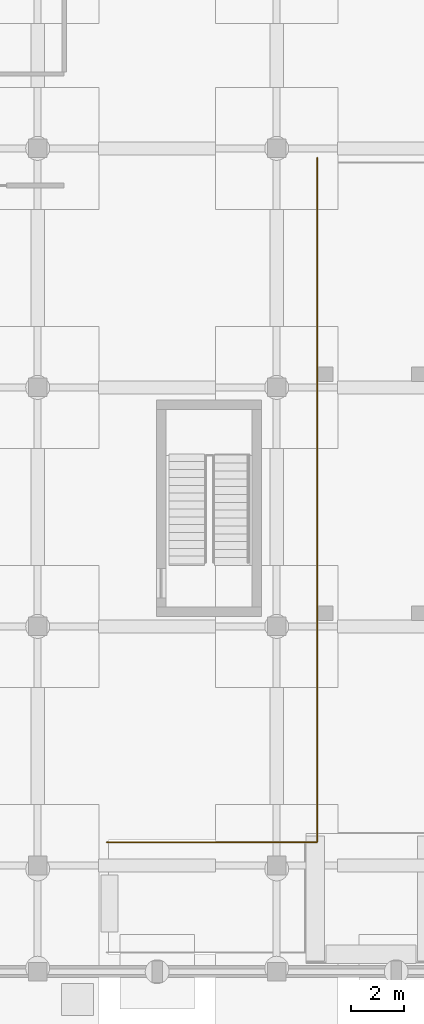
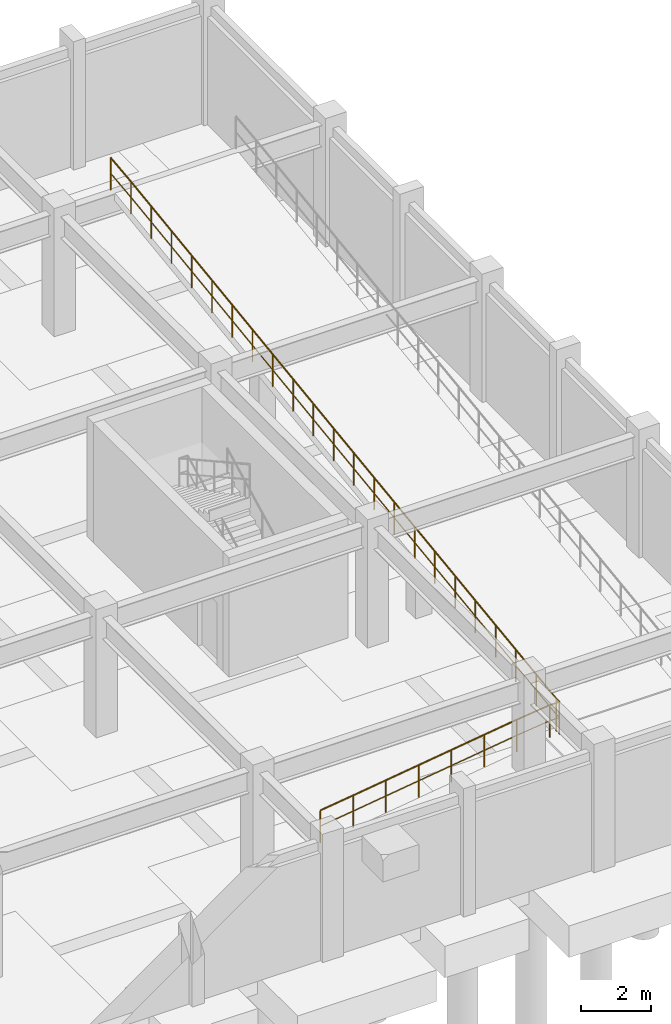
# One storey, part 18 of 20: 1 railing.
"""IFC4 building model written with IfcOpenShell, lengths in metres."""

from ifc_helpers import new_model, si_unit, direction, frame, origin, origin_2d, place, context, subcontext, project, spatial, circle, extrude, material, type_object, element, save


model = new_model("IFC4")

# Units and contexts
model_context = context("Model", 3, precision=1e-05, world=origin(), true_north=direction((0.0, 1.0)))
body_context = subcontext(model_context, "Body", "Model", "MODEL_VIEW")
ifc_project = project(units=[si_unit("LENGTHUNIT", "METRE"), si_unit("AREAUNIT", "SQUARE_METRE"), si_unit("VOLUMEUNIT", "CUBIC_METRE"), si_unit("PLANEANGLEUNIT", "RADIAN"), si_unit("MASSUNIT", "GRAM", prefix="KILO")], contexts=[model_context])

# Site, building, storey
site_placement = place(None, origin())
site = spatial("IfcSite", under=ifc_project, at=site_placement, CompositionType="ELEMENT")
building_placement = place(site_placement, origin())
building = spatial("IfcBuilding", under=site, at=building_placement, Name="Ventoquebrada Cableway Terminal", CompositionType="ELEMENT")
storey_placement = place(building_placement, frame((0.0, 0.0, -4.5)))
storey = spatial("IfcBuildingStorey", under=building, at=storey_placement, Name="B1", CompositionType="ELEMENT", Elevation=-4.5)

# Railing
ifc_material = material(Name="Brushed stainless steel Grade 316", Category="steel")
railing_type = type_object("IfcRailingType", Name="RL-GD02", PredefinedType="BALUSTRADE", material=ifc_material)
railing_placement = place(storey_placement, frame((149.60009765625, 68.875, 0.02001953125)))
element("IfcRailing", 1, at=railing_placement, inside=storey, type_object=railing_type, Name="Vehicle ramp inner guardrail GR-R37", PredefinedType="BALUSTRADE", context=body_context, shape_type="SweptSolid", body=[
    extrude(circle(Radius=0.02392578125, at=origin_2d()), frame((0.001953125, 0.0, 1.126220703125), z_axis=(0.991317209735, 0.0, 0.13149216586), x_axis=(0.0, 1.0, 0.0)), (0.0, 0.0, 1.0), 1.091552734375),
    extrude(circle(Radius=0.01611328125, at=origin_2d()), frame((0.001953125, 0.0, 0.5751953125), z_axis=(0.991317209735, 0.0, 0.13149216586), x_axis=(0.0, 1.0, 0.0)), (0.0, 0.0, 1.0), 1.091552734375),
    extrude(circle(Radius=0.02392578125, at=origin_2d()), frame((1.087890625, 0.0, 1.270263671875), z_axis=(0.990468637924, 0.0, 0.137738437947), x_axis=(0.0, 1.0, 0.0)), (0.0, 0.0, 1.0), 1.09130859375),
    extrude(circle(Radius=0.01611328125, at=origin_2d()), frame((1.087890625, 0.0, 0.71923828125), z_axis=(0.990468637924, 0.0, 0.137738437947), x_axis=(0.0, 1.0, 0.0)), (0.0, 0.0, 1.0), 1.09130859375),
    extrude(circle(Radius=0.02392578125, at=origin_2d()), frame((2.1728515625, 0.0, 1.421142578125), z_axis=(0.990455152905, 0.0, 0.137835373122), x_axis=(0.0, 1.0, 0.0)), (0.0, 0.0, 1.0), 1.09228515625),
    extrude(circle(Radius=0.01611328125, at=origin_2d()), frame((2.1728515625, 0.0, 0.8701171875), z_axis=(0.990455152905, 0.0, 0.137835373122), x_axis=(0.0, 1.0, 0.0)), (0.0, 0.0, 1.0), 1.09228515625),
    extrude(circle(Radius=0.02392578125, at=origin_2d()), frame((3.2587890625, 0.0, 1.572265625), z_axis=(0.99036801526, 0.0, 0.138460082151), x_axis=(0.0, 1.0, 0.0)), (0.0, 0.0, 1.0), 1.0927734375),
    extrude(circle(Radius=0.01611328125, at=origin_2d()), frame((3.2587890625, 0.0, 1.021240234375), z_axis=(0.99036801526, 0.0, 0.138460082151), x_axis=(0.0, 1.0, 0.0)), (0.0, 0.0, 1.0), 1.0927734375),
    extrude(circle(Radius=0.02392578125, at=origin_2d()), frame((4.344970703125, 0.0, 1.72412109375), z_axis=(0.990455152905, 0.0, 0.137835373122), x_axis=(0.0, 1.0, 0.0)), (0.0, 0.0, 1.0), 1.09228515625),
    extrude(circle(Radius=0.01611328125, at=origin_2d()), frame((4.344970703125, 0.0, 1.173095703125), z_axis=(0.990455152905, 0.0, 0.137835373122), x_axis=(0.0, 1.0, 0.0)), (0.0, 0.0, 1.0), 1.09228515625),
    extrude(circle(Radius=0.02392578125, at=origin_2d()), frame((5.430908203125, 0.0, 1.875244140625), z_axis=(0.990468637924, 0.0, 0.137738437947), x_axis=(0.0, 1.0, 0.0)), (0.0, 0.0, 1.0), 1.09130859375),
    extrude(circle(Radius=0.01611328125, at=origin_2d()), frame((5.430908203125, 0.0, 1.32421875), z_axis=(0.990468637924, 0.0, 0.137738437947), x_axis=(0.0, 1.0, 0.0)), (0.0, 0.0, 1.0), 1.09130859375),
    extrude(circle(Radius=0.02392578125, at=origin_2d()), frame((6.515869140625, 0.0, 2.02587890625), z_axis=(0.992896893367, 0.0, 0.118977977555), x_axis=(0.0, 1.0, 0.0)), (0.0, 0.0, 1.0), 1.089599609375),
    extrude(circle(Radius=0.01611328125, at=origin_2d()), frame((6.515869140625, 0.0, 1.47509765625), z_axis=(0.992896893367, 0.0, 0.118977977555), x_axis=(0.0, 1.0, 0.0)), (0.0, 0.0, 1.0), 1.089599609375),
    extrude(circle(Radius=0.02392578125, at=origin_2d()), frame((7.601806640625, 0.0, 2.15576171875), z_axis=(1.0, 0.0, 0.0), x_axis=(0.0, 1.0, 0.0)), (0.0, 0.0, 1.0), 0.321044921875),
    extrude(circle(Radius=0.01611328125, at=origin_2d()), frame((7.601806640625, 0.0, 1.60498046875), z_axis=(1.0, 0.0, 0.0), x_axis=(0.0, 1.0, 0.0)), (0.0, 0.0, 1.0), 0.321044921875),
    extrude(circle(Radius=0.02392578125, at=origin_2d()), frame((7.9248046875, 0.001953125, 2.15576171875), z_axis=(0.0, 1.0, 0.0), x_axis=(-1.0, 0.0, 0.0)), (0.0, 0.0, 1.0), 0.171142578125),
    extrude(circle(Radius=0.01611328125, at=origin_2d()), frame((7.9248046875, 0.001953125, 1.60498046875), z_axis=(0.0, 1.0, 0.0), x_axis=(-1.0, 0.0, 0.0)), (0.0, 0.0, 1.0), 0.171142578125),
    extrude(circle(Radius=0.02392578125, at=origin_2d()), frame((7.9248046875, 0.177001953125, 2.15625), z_axis=(0.0, 0.991028923854, 0.133647566703), x_axis=(-1.0, 0.0, 0.0)), (0.0, 0.0, 1.0), 1.170654296875),
    extrude(circle(Radius=0.01611328125, at=origin_2d()), frame((7.9248046875, 0.177001953125, 1.605224609375), z_axis=(0.0, 0.991028923854, 0.133647566703), x_axis=(-1.0, 0.0, 0.0)), (0.0, 0.0, 1.0), 1.170654296875),
    extrude(circle(Radius=0.02392578125, at=origin_2d()), frame((7.9248046875, 1.341064453125, 2.313232421875), z_axis=(0.0, 0.991010332392, 0.133785354551), x_axis=(-1.0, 0.0, 0.0)), (0.0, 0.0, 1.0), 1.16943359375),
    extrude(circle(Radius=0.01611328125, at=origin_2d()), frame((7.9248046875, 1.341064453125, 1.76220703125), z_axis=(0.0, 0.991010332392, 0.133785354551), x_axis=(-1.0, 0.0, 0.0)), (0.0, 0.0, 1.0), 1.16943359375),
    extrude(circle(Radius=0.02392578125, at=origin_2d()), frame((7.9248046875, 2.50390625, 2.47021484375), z_axis=(0.0, 0.991138717367, 0.132830880956), x_axis=(-1.0, 0.0, 0.0)), (0.0, 0.0, 1.0), 1.17041015625),
    extrude(circle(Radius=0.01611328125, at=origin_2d()), frame((7.9248046875, 2.50390625, 1.919189453125), z_axis=(0.0, 0.991138717367, 0.132830880956), x_axis=(-1.0, 0.0, 0.0)), (0.0, 0.0, 1.0), 1.17041015625),
    extrude(circle(Radius=0.02392578125, at=origin_2d()), frame((7.9248046875, 3.66796875, 2.626220703125), z_axis=(0.0, 0.991028923854, 0.133647566703), x_axis=(-1.0, 0.0, 0.0)), (0.0, 0.0, 1.0), 1.170654296875),
    extrude(circle(Radius=0.01611328125, at=origin_2d()), frame((7.9248046875, 3.66796875, 2.0751953125), z_axis=(0.0, 0.991028923854, 0.133647566703), x_axis=(-1.0, 0.0, 0.0)), (0.0, 0.0, 1.0), 1.170654296875),
    extrude(circle(Radius=0.02392578125, at=origin_2d()), frame((7.9248046875, 4.83203125, 2.783203125), z_axis=(0.0, 0.991010332392, 0.133785354551), x_axis=(-1.0, 0.0, 0.0)), (0.0, 0.0, 1.0), 1.16943359375),
    extrude(circle(Radius=0.01611328125, at=origin_2d()), frame((7.9248046875, 4.83203125, 2.232177734375), z_axis=(0.0, 0.991010332392, 0.133785354551), x_axis=(-1.0, 0.0, 0.0)), (0.0, 0.0, 1.0), 1.16943359375),
    extrude(circle(Radius=0.02392578125, at=origin_2d()), frame((7.9248046875, 5.994873046875, 2.940185546875), z_axis=(0.0, 0.991028923854, 0.133647566703), x_axis=(-1.0, 0.0, 0.0)), (0.0, 0.0, 1.0), 1.170654296875),
    extrude(circle(Radius=0.01611328125, at=origin_2d()), frame((7.9248046875, 5.994873046875, 2.38916015625), z_axis=(0.0, 0.991028923854, 0.133647566703), x_axis=(-1.0, 0.0, 0.0)), (0.0, 0.0, 1.0), 1.170654296875),
    extrude(circle(Radius=0.02392578125, at=origin_2d()), frame((7.9248046875, 7.158935546875, 3.09716796875), z_axis=(0.0, 0.991014055284, 0.133757774464), x_axis=(-1.0, 0.0, 0.0)), (0.0, 0.0, 1.0), 1.169677734375),
    extrude(circle(Radius=0.01611328125, at=origin_2d()), frame((7.9248046875, 7.158935546875, 2.546142578125), z_axis=(0.0, 0.991014055284, 0.133757774464), x_axis=(-1.0, 0.0, 0.0)), (0.0, 0.0, 1.0), 1.169677734375),
    extrude(circle(Radius=0.02392578125, at=origin_2d()), frame((7.9248046875, 8.322021484375, 3.254150390625), z_axis=(0.0, 0.991025210157, 0.133675101769), x_axis=(-1.0, 0.0, 0.0)), (0.0, 0.0, 1.0), 1.17041015625),
    extrude(circle(Radius=0.01611328125, at=origin_2d()), frame((7.9248046875, 8.322021484375, 2.703125), z_axis=(0.0, 0.991025210157, 0.133675101769), x_axis=(-1.0, 0.0, 0.0)), (0.0, 0.0, 1.0), 1.17041015625),
    extrude(circle(Radius=0.02392578125, at=origin_2d()), frame((7.9248046875, 9.48583984375, 3.4111328125), z_axis=(0.0, 0.991138717367, 0.132830880956), x_axis=(-1.0, 0.0, 0.0)), (0.0, 0.0, 1.0), 1.17041015625),
    extrude(circle(Radius=0.01611328125, at=origin_2d()), frame((7.9248046875, 9.48583984375, 2.860107421875), z_axis=(0.0, 0.991138717367, 0.132830880956), x_axis=(-1.0, 0.0, 0.0)), (0.0, 0.0, 1.0), 1.17041015625),
    extrude(circle(Radius=0.02392578125, at=origin_2d()), frame((7.9248046875, 10.64990234375, 3.567138671875), z_axis=(0.0, 0.991014055284, 0.133757774464), x_axis=(-1.0, 0.0, 0.0)), (0.0, 0.0, 1.0), 1.169677734375),
    extrude(circle(Radius=0.01611328125, at=origin_2d()), frame((7.9248046875, 10.64990234375, 3.01611328125), z_axis=(0.0, 0.991014055284, 0.133757774464), x_axis=(-1.0, 0.0, 0.0)), (0.0, 0.0, 1.0), 1.169677734375),
    extrude(circle(Radius=0.02392578125, at=origin_2d()), frame((7.9248046875, 11.81298828125, 3.72412109375), z_axis=(0.0, 0.991028923854, 0.133647566703), x_axis=(-1.0, 0.0, 0.0)), (0.0, 0.0, 1.0), 1.170654296875),
    extrude(circle(Radius=0.01611328125, at=origin_2d()), frame((7.9248046875, 11.81298828125, 3.173095703125), z_axis=(0.0, 0.991028923854, 0.133647566703), x_axis=(-1.0, 0.0, 0.0)), (0.0, 0.0, 1.0), 1.170654296875),
    extrude(circle(Radius=0.02392578125, at=origin_2d()), frame((7.9248046875, 12.97705078125, 3.881103515625), z_axis=(0.0, 0.99077570355, 0.135512011478), x_axis=(-1.0, 0.0, 0.0)), (0.0, 0.0, 1.0), 1.170654296875),
    extrude(circle(Radius=0.01611328125, at=origin_2d()), frame((7.9248046875, 12.97705078125, 3.330078125), z_axis=(0.0, 0.99077570355, 0.135512011478), x_axis=(-1.0, 0.0, 0.0)), (0.0, 0.0, 1.0), 1.170654296875),
    extrude(circle(Radius=0.02392578125, at=origin_2d()), frame((7.9248046875, 14.140869140625, 4.040283203125), z_axis=(0.0, 0.99068024293, 0.136208135835), x_axis=(-1.0, 0.0, 0.0)), (0.0, 0.0, 1.0), 1.169921875),
    extrude(circle(Radius=0.01611328125, at=origin_2d()), frame((7.9248046875, 14.140869140625, 3.4892578125), z_axis=(0.0, 0.99068024293, 0.136208135835), x_axis=(-1.0, 0.0, 0.0)), (0.0, 0.0, 1.0), 1.169921875),
    extrude(circle(Radius=0.02392578125, at=origin_2d()), frame((7.9248046875, 15.303955078125, 4.2001953125), z_axis=(0.0, 0.99080739254, 0.13528012008), x_axis=(-1.0, 0.0, 0.0)), (0.0, 0.0, 1.0), 1.1708984375),
    extrude(circle(Radius=0.01611328125, at=origin_2d()), frame((7.9248046875, 15.303955078125, 3.649169921875), z_axis=(0.0, 0.99080739254, 0.13528012008), x_axis=(-1.0, 0.0, 0.0)), (0.0, 0.0, 1.0), 1.1708984375),
    extrude(circle(Radius=0.02392578125, at=origin_2d()), frame((7.9248046875, 16.468017578125, 4.359130859375), z_axis=(0.0, 0.99077570355, 0.135512011478), x_axis=(-1.0, 0.0, 0.0)), (0.0, 0.0, 1.0), 1.170654296875),
    extrude(circle(Radius=0.01611328125, at=origin_2d()), frame((7.9248046875, 16.468017578125, 3.80810546875), z_axis=(0.0, 0.99077570355, 0.135512011478), x_axis=(-1.0, 0.0, 0.0)), (0.0, 0.0, 1.0), 1.170654296875),
    extrude(circle(Radius=0.02392578125, at=origin_2d()), frame((7.9248046875, 17.6318359375, 4.518310546875), z_axis=(0.0, 0.99068024293, 0.136208135835), x_axis=(-1.0, 0.0, 0.0)), (0.0, 0.0, 1.0), 1.169921875),
    extrude(circle(Radius=0.01611328125, at=origin_2d()), frame((7.9248046875, 17.6318359375, 3.96728515625), z_axis=(0.0, 0.99068024293, 0.136208135835), x_axis=(-1.0, 0.0, 0.0)), (0.0, 0.0, 1.0), 1.169921875),
    extrude(circle(Radius=0.02392578125, at=origin_2d()), frame((7.9248046875, 18.794921875, 4.67822265625), z_axis=(0.0, 0.99080739254, 0.13528012008), x_axis=(-1.0, 0.0, 0.0)), (0.0, 0.0, 1.0), 1.1708984375),
    extrude(circle(Radius=0.01611328125, at=origin_2d()), frame((7.9248046875, 18.794921875, 4.127197265625), z_axis=(0.0, 0.99080739254, 0.13528012008), x_axis=(-1.0, 0.0, 0.0)), (0.0, 0.0, 1.0), 1.1708984375),
    extrude(circle(Radius=0.02392578125, at=origin_2d()), frame((7.9248046875, 19.958984375, 4.837158203125), z_axis=(0.0, 0.990792161915, 0.135391624141), x_axis=(-1.0, 0.0, 0.0)), (0.0, 0.0, 1.0), 1.169921875),
    extrude(circle(Radius=0.01611328125, at=origin_2d()), frame((7.9248046875, 19.958984375, 4.2861328125), z_axis=(0.0, 0.990792161915, 0.135391624141), x_axis=(-1.0, 0.0, 0.0)), (0.0, 0.0, 1.0), 1.169921875),
    extrude(circle(Radius=0.02392578125, at=origin_2d()), frame((7.9248046875, 21.1220703125, 4.99609375), z_axis=(0.0, 0.99077570355, 0.135512011478), x_axis=(-1.0, 0.0, 0.0)), (0.0, 0.0, 1.0), 1.170654296875),
    extrude(circle(Radius=0.01611328125, at=origin_2d()), frame((7.9248046875, 21.1220703125, 4.445068359375), z_axis=(0.0, 0.99077570355, 0.135512011478), x_axis=(-1.0, 0.0, 0.0)), (0.0, 0.0, 1.0), 1.170654296875),
    extrude(circle(Radius=0.02392578125, at=origin_2d()), frame((7.9248046875, 22.285888671875, 5.1552734375), z_axis=(0.0, 0.990695656075, 0.136095984633), x_axis=(-1.0, 0.0, 0.0)), (0.0, 0.0, 1.0), 1.1708984375),
    extrude(circle(Radius=0.01611328125, at=origin_2d()), frame((7.9248046875, 22.285888671875, 4.604248046875), z_axis=(0.0, 0.990695656075, 0.136095984633), x_axis=(-1.0, 0.0, 0.0)), (0.0, 0.0, 1.0), 1.1708984375),
    extrude(circle(Radius=0.02392578125, at=origin_2d()), frame((7.9248046875, 23.449951171875, 5.315185546875), z_axis=(0.0, 0.990792161915, 0.135391624141), x_axis=(-1.0, 0.0, 0.0)), (0.0, 0.0, 1.0), 1.169921875),
    extrude(circle(Radius=0.01611328125, at=origin_2d()), frame((7.9248046875, 23.449951171875, 4.76416015625), z_axis=(0.0, 0.990792161915, 0.135391624141), x_axis=(-1.0, 0.0, 0.0)), (0.0, 0.0, 1.0), 1.169921875),
    extrude(circle(Radius=0.02392578125, at=origin_2d()), frame((7.9248046875, 24.613037109375, 5.473876953125), z_axis=(0.0, 0.993621719387, 0.112764705305), x_axis=(-1.0, 0.0, 0.0)), (0.0, 0.0, 1.0), 1.167236328125),
    extrude(circle(Radius=0.01611328125, at=origin_2d()), frame((7.9248046875, 24.613037109375, 4.923095703125), z_axis=(0.0, 0.993621719387, 0.112764705305), x_axis=(-1.0, 0.0, 0.0)), (0.0, 0.0, 1.0), 1.167236328125),
    extrude(circle(Radius=0.02099609375, at=origin_2d()), origin(), (0.0, 0.0, 1.0), 1.101806640625),
    extrude(circle(Radius=0.02099609375, at=origin_2d()), frame((1.0859375, 0.0, 0.14404296875)), (0.0, 0.0, 1.0), 1.101806640625),
    extrude(circle(Radius=0.02099609375, at=origin_2d()), frame((2.1708984375, 0.0, 0.294921875)), (0.0, 0.0, 1.0), 1.101806640625),
    extrude(circle(Radius=0.02099609375, at=origin_2d()), frame((3.2568359375, 0.0, 0.446044921875)), (0.0, 0.0, 1.0), 1.101806640625),
    extrude(circle(Radius=0.02099609375, at=origin_2d()), frame((4.343017578125, 0.0, 0.597900390625)), (0.0, 0.0, 1.0), 1.101806640625),
    extrude(circle(Radius=0.02099609375, at=origin_2d()), frame((5.428955078125, 0.0, 0.7490234375)), (0.0, 0.0, 1.0), 1.101806640625),
    extrude(circle(Radius=0.02099609375, at=origin_2d()), frame((6.513916015625, 0.0, 0.89990234375)), (0.0, 0.0, 1.0), 1.101806640625),
    extrude(circle(Radius=0.02099609375, at=origin_2d()), frame((7.599853515625, 0.0, 1.030029296875)), (0.0, 0.0, 1.0), 1.101806640625),
    extrude(circle(Radius=0.02099609375, at=origin_2d()), frame((7.9248046875, 0.0, 1.030029296875)), (0.0, 0.0, 1.0), 1.101806640625),
    extrude(circle(Radius=0.02099609375, at=origin_2d()), frame((7.9248046875, 0.175048828125, 1.030029296875)), (0.0, 0.0, 1.0), 1.101806640625),
    extrude(circle(Radius=0.02099609375, at=origin_2d()), frame((7.9248046875, 1.339111328125, 1.18701171875)), (0.0, 0.0, 1.0), 1.101806640625),
    extrude(circle(Radius=0.02099609375, at=origin_2d()), frame((7.9248046875, 2.501953125, 1.343994140625)), (0.0, 0.0, 1.0), 1.101806640625),
    extrude(circle(Radius=0.02099609375, at=origin_2d()), frame((7.9248046875, 3.666015625, 1.5)), (0.0, 0.0, 1.0), 1.101806640625),
    extrude(circle(Radius=0.02099609375, at=origin_2d()), frame((7.9248046875, 4.830078125, 1.656982421875)), (0.0, 0.0, 1.0), 1.101806640625),
    extrude(circle(Radius=0.02099609375, at=origin_2d()), frame((7.9248046875, 5.992919921875, 1.81396484375)), (0.0, 0.0, 1.0), 1.101806640625),
    extrude(circle(Radius=0.02099609375, at=origin_2d()), frame((7.9248046875, 7.156982421875, 1.970947265625)), (0.0, 0.0, 1.0), 1.101806640625),
    extrude(circle(Radius=0.02099609375, at=origin_2d()), frame((7.9248046875, 8.320068359375, 2.1279296875)), (0.0, 0.0, 1.0), 1.101806640625),
    extrude(circle(Radius=0.02099609375, at=origin_2d()), frame((7.9248046875, 9.48388671875, 2.284912109375)), (0.0, 0.0, 1.0), 1.101806640625),
    extrude(circle(Radius=0.02099609375, at=origin_2d()), frame((7.9248046875, 10.64794921875, 2.44091796875)), (0.0, 0.0, 1.0), 1.101806640625),
    extrude(circle(Radius=0.02099609375, at=origin_2d()), frame((7.9248046875, 11.81103515625, 2.597900390625)), (0.0, 0.0, 1.0), 1.101806640625),
    extrude(circle(Radius=0.02099609375, at=origin_2d()), frame((7.9248046875, 12.97509765625, 2.7548828125)), (0.0, 0.0, 1.0), 1.101806640625),
    extrude(circle(Radius=0.02099609375, at=origin_2d()), frame((7.9248046875, 14.138916015625, 2.9140625)), (0.0, 0.0, 1.0), 1.101806640625),
    extrude(circle(Radius=0.02099609375, at=origin_2d()), frame((7.9248046875, 15.302001953125, 3.073974609375)), (0.0, 0.0, 1.0), 1.101806640625),
    extrude(circle(Radius=0.02099609375, at=origin_2d()), frame((7.9248046875, 16.466064453125, 3.23291015625)), (0.0, 0.0, 1.0), 1.101806640625),
    extrude(circle(Radius=0.02099609375, at=origin_2d()), frame((7.9248046875, 17.6298828125, 3.39208984375)), (0.0, 0.0, 1.0), 1.101806640625),
    extrude(circle(Radius=0.02099609375, at=origin_2d()), frame((7.9248046875, 18.79296875, 3.552001953125)), (0.0, 0.0, 1.0), 1.101806640625),
    extrude(circle(Radius=0.02099609375, at=origin_2d()), frame((7.9248046875, 19.95703125, 3.7109375)), (0.0, 0.0, 1.0), 1.101806640625),
    extrude(circle(Radius=0.02099609375, at=origin_2d()), frame((7.9248046875, 21.1201171875, 3.869873046875)), (0.0, 0.0, 1.0), 1.101806640625),
    extrude(circle(Radius=0.02099609375, at=origin_2d()), frame((7.9248046875, 22.283935546875, 4.029052734375)), (0.0, 0.0, 1.0), 1.101806640625),
    extrude(circle(Radius=0.02099609375, at=origin_2d()), frame((7.9248046875, 23.447998046875, 4.18896484375)), (0.0, 0.0, 1.0), 1.101806640625),
    extrude(circle(Radius=0.02099609375, at=origin_2d()), frame((7.9248046875, 24.611083984375, 4.347900390625)), (0.0, 0.0, 1.0), 1.101806640625),
    extrude(circle(Radius=0.02099609375, at=origin_2d()), frame((7.9248046875, 25.77490234375, 4.47998046875)), (0.0, 0.0, 1.0), 1.101806640625),
])

save(model, "model.ifc")
